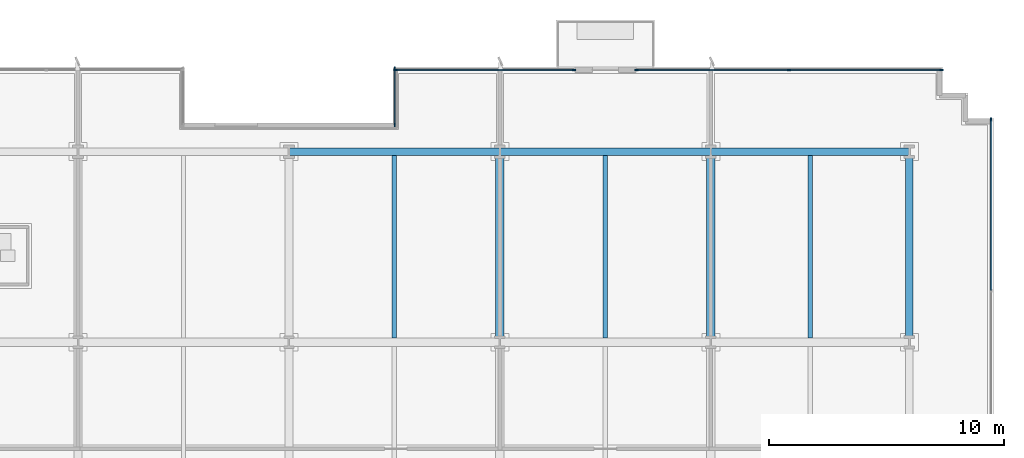
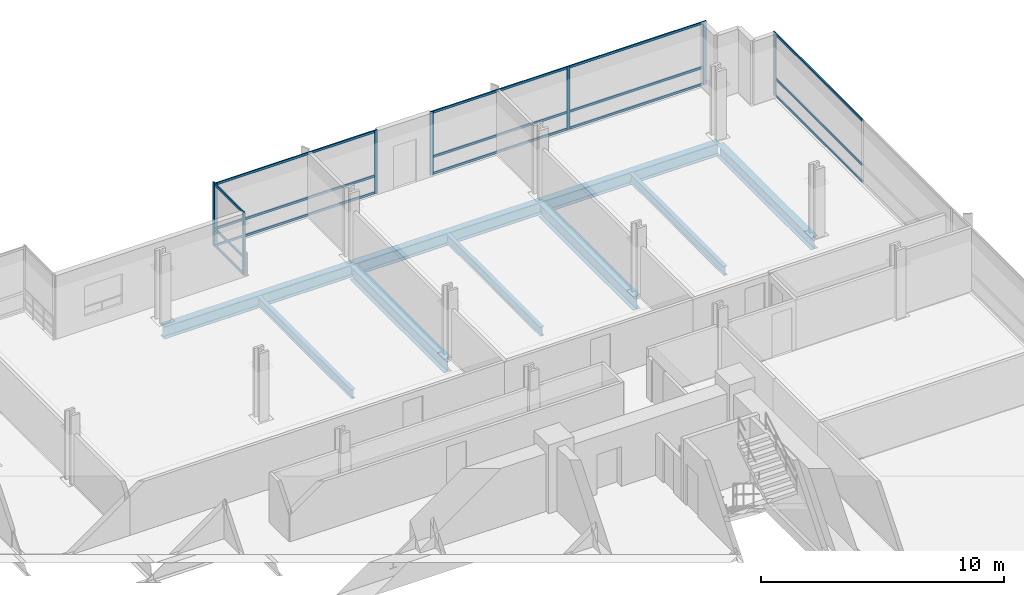
# One storey, part 10 of 21: 23 members, 9 beams, 4 elements without a shape of their own.
"""IFC4 building model written with IfcOpenShell, lengths in metres."""

from ifc_helpers import new_model, si_unit, direction, frame, origin, origin_2d, place, context, subcontext, project, spatial, rectangle, i_section, extrude, material, material_profile, profile_set, type_object, element, aggregate, save


model = new_model("IFC4")

# Units and contexts
model_context = context("Model", 3, precision=1e-05, world=origin(), true_north=direction((0.0, 1.0)))
body_context = subcontext(model_context, "Body", "Model", "MODEL_VIEW")
ifc_project = project(units=[si_unit("LENGTHUNIT", "METRE"), si_unit("AREAUNIT", "SQUARE_METRE"), si_unit("VOLUMEUNIT", "CUBIC_METRE"), si_unit("PLANEANGLEUNIT", "RADIAN"), si_unit("MASSUNIT", "GRAM", prefix="KILO")], contexts=[model_context])

# Site, building, storey
site_placement = place(None, origin())
site = spatial("IfcSite", under=ifc_project, at=site_placement, CompositionType="ELEMENT")
building_placement = place(site_placement, origin())
building = spatial("IfcBuilding", under=site, at=building_placement, Name="Solmavex Isthmus Hotel", CompositionType="ELEMENT")
storey_placement = place(building_placement, frame((0.0, 0.0, 60.89990234375)))
storey = spatial("IfcBuildingStorey", under=building, at=storey_placement, Name="L16", CompositionType="ELEMENT", Elevation=60.89990234375)

# Beams
ifc_material_1 = material(Name="Steel ASTM A992 Grade 50", Category="steel")
ifc_material_profile_1 = material_profile(ifc_material_1, i_section(OverallWidth=0.354736328125, OverallDepth=0.695556640625, WebThickness=0.015380859375, FlangeThickness=0.02490234375, FilletRadius=0.017822265625, at=origin_2d()), Name="W27X146")
ifc_profile_set_1 = profile_set([ifc_material_profile_1], Name="Steel ASTM A992 Grade 50")
beam_type_1 = type_object("IfcBeamType", Name="BM-BG-W27X146", PredefinedType="BEAM", material=ifc_profile_set_1)
for number, where, z_axis, x_axis, name in (
    (1, (8.97607421875, 8.96533203125, -0.607666015625), (0.0, 1.0, 0.0), (-1.0, 0.0, 0.0), "Floor Beam L16-VG42"),
    (2, (17.951904296875, 8.96533203125, -0.607666015625), (0.0, 1.0, 0.0), (-1.0, 0.0, 0.0), "Floor Beam L16-VG45"),
):
    element("IfcBeam", number, at=place(storey_placement, frame(where, z_axis=z_axis, x_axis=x_axis)), inside=storey, type_object=beam_type_1, Name=name, PredefinedType="BEAM", context=body_context, shape_type="SweptSolid", body=[
        extrude(i_section(OverallWidth=0.354736328125, OverallDepth=0.695556640625, WebThickness=0.015380859375, FlangeThickness=0.02490234375, FilletRadius=0.017822265625, at=origin_2d()), origin(), (0.0, 0.0, 1.0), 7.771484375),
    ])
ifc_material_profile_2 = material_profile(ifc_material_1, i_section(OverallWidth=0.1904296875, OverallDepth=0.456787109375, WebThickness=0.009033203125, FlangeThickness=0.014404296875, FilletRadius=0.0126953125, at=origin_2d()), Name="W18X50")
ifc_profile_set_2 = profile_set([ifc_material_profile_2], Name="Steel ASTM A992 Grade 50")
beam_type_2 = type_object("IfcBeamType", Name="BM-BJ-W18X50", PredefinedType="JOIST", material=ifc_profile_set_2)
for number, where, z_axis, x_axis, name in (
    (3, (4.488037109375, 8.96533203125, -0.48828125), (0.0, 1.0, 0.0), (-1.0, 0.0, 0.0), "Secondary Floor Joist L16-J15"),
    (4, (13.464111328125, 8.96533203125, -0.48828125), (0.0, 1.0, 0.0), (-1.0, 0.0, 0.0), "Secondary Floor Joist L16-J19"),
    (5, (22.176025390625, 8.96533203125, -0.48828125), (0.0, 1.0, 0.0), (-1.0, 0.0, 0.0), "Secondary Floor Joist L16-J22"),
):
    element("IfcBeam", number, at=place(storey_placement, frame(where, z_axis=z_axis, x_axis=x_axis)), inside=storey, type_object=beam_type_2, Name=name, PredefinedType="JOIST", context=body_context, shape_type="SweptSolid", body=[
        extrude(i_section(OverallWidth=0.1904296875, OverallDepth=0.456787109375, WebThickness=0.009033203125, FlangeThickness=0.014404296875, FilletRadius=0.0126953125, at=origin_2d()), origin(), (0.0, 0.0, 1.0), 7.771484375),
    ])
ifc_material_profile_3 = material_profile(ifc_material_1, i_section(OverallWidth=0.326416015625, OverallDepth=0.621826171875, WebThickness=0.015380859375, FlangeThickness=0.0244140625, FilletRadius=0.01513671875, at=origin_2d()), Name="W24X131")
ifc_profile_set_3 = profile_set([ifc_material_profile_3], Name="Steel ASTM A992 Grade 50")
beam_type_3 = type_object("IfcBeamType", Name="BM-SP-W24X131", PredefinedType="SPANDREL", material=ifc_profile_set_3)
beam_1_placement = place(storey_placement, frame((0.0, 16.89990234375, -0.57080078125), z_axis=(1.0, 0.0, 0.0), x_axis=(0.0, 1.0, 0.0)))
element("IfcBeam", 6, at=beam_1_placement, inside=storey, type_object=beam_type_3, Name="Floor Girder L16-UG22", PredefinedType="SPANDREL", context=body_context, shape_type="SweptSolid", body=[
    extrude(i_section(OverallWidth=0.326416015625, OverallDepth=0.621826171875, WebThickness=0.015380859375, FlangeThickness=0.0244140625, FilletRadius=0.01513671875, at=origin_2d()), origin(), (0.0, 0.0, 1.0), 8.97607421875),
])
beam_2_placement = place(storey_placement, frame((8.97607421875, 16.89990234375, -0.57080078125), z_axis=(1.0, 0.0, 0.0), x_axis=(0.0, 1.0, 0.0)))
element("IfcBeam", 7, at=beam_2_placement, inside=storey, type_object=beam_type_3, Name="Floor Girder L16-UG23", PredefinedType="SPANDREL", context=body_context, shape_type="SweptSolid", body=[
    extrude(i_section(OverallWidth=0.326416015625, OverallDepth=0.621826171875, WebThickness=0.015380859375, FlangeThickness=0.0244140625, FilletRadius=0.01513671875, at=origin_2d()), origin(), (0.0, 0.0, 1.0), 8.975830078125),
])
beam_3_placement = place(storey_placement, frame((17.951904296875, 16.89990234375, -0.57080078125), z_axis=(1.0, 0.0, 0.0), x_axis=(0.0, 1.0, 0.0)))
element("IfcBeam", 8, at=beam_3_placement, inside=storey, type_object=beam_type_3, Name="Floor Girder L16-UG24", PredefinedType="SPANDREL", context=body_context, shape_type="SweptSolid", body=[
    extrude(i_section(OverallWidth=0.326416015625, OverallDepth=0.621826171875, WebThickness=0.015380859375, FlangeThickness=0.0244140625, FilletRadius=0.01513671875, at=origin_2d()), origin(), (0.0, 0.0, 1.0), 8.447998046875),
])
beam_4_placement = place(storey_placement, frame((26.39990234375, 8.96533203125, -0.57080078125), z_axis=(0.0, 1.0, 0.0), x_axis=(-1.0, 0.0, 0.0)))
element("IfcBeam", 9, at=beam_4_placement, inside=storey, type_object=beam_type_3, Name="Floor Beam L16-VG48", PredefinedType="SPANDREL", context=body_context, shape_type="SweptSolid", body=[
    extrude(i_section(OverallWidth=0.326416015625, OverallDepth=0.621826171875, WebThickness=0.015380859375, FlangeThickness=0.0244140625, FilletRadius=0.01513671875, at=origin_2d()), origin(), (0.0, 0.0, 1.0), 7.771484375),
])

# Curtain wall, members
ifc_material_2 = material(Name="Aluminium alloy 6063-T6", Category="aluminium")
curtain_wall_type = type_object("IfcCurtainWallType", Name="CW-SYS-06", PredefinedType="NOTDEFINED", material=ifc_material_2)
curtain_wall_1_placement = place(storey_placement, origin())
curtain_wall_1 = element("IfcCurtainWall", 10, at=curtain_wall_1_placement, inside=storey, type_object=curtain_wall_type, Name="Stick Curtain Wall CWL-L16-SGE", PredefinedType="NOTDEFINED")
ifc_material_profile_4 = material_profile(ifc_material_2, rectangle(XDim=0.06005859375, YDim=0.139892578125, at=origin_2d()), Name="CWM-60X140")
ifc_profile_set_4 = profile_set([ifc_material_profile_4], Name="Aluminium alloy 6063-T6")
member_type_1 = type_object("IfcMemberType", Name="CW-SYS-06-MUL", PredefinedType="MULLION", material=ifc_profile_set_4)
member_1_placement = place(storey_placement, frame((4.5, 18.030029296875, 0.0), z_axis=(0.0, 0.0, 1.0), x_axis=(-1.0, 0.0, 0.0)))
member_1 = element("IfcMember", 11, at=member_1_placement, type_object=member_type_1, Name="CW-06 mullion 1", PredefinedType="MULLION", context=body_context, shape_type="SweptSolid", body=[
    extrude(rectangle(XDim=0.06005859375, YDim=0.139892578125, at=origin_2d()), origin(), (0.0, 0.0, 1.0), 3.190185546875),
])
member_2_placement = place(storey_placement, frame((4.5, 20.449951171875, 0.0), z_axis=(0.0, 0.0, 1.0), x_axis=(-1.0, 0.0, 0.0)))
member_2 = element("IfcMember", 12, at=member_2_placement, type_object=member_type_1, Name="CW-06 mullion 2", PredefinedType="MULLION", context=body_context, shape_type="SweptSolid", body=[
    extrude(rectangle(XDim=0.06005859375, YDim=0.139892578125, at=origin_2d()), origin(), (0.0, 0.0, 1.0), 3.190185546875),
])

curtain_wall_2_placement = place(storey_placement, origin())
curtain_wall_2 = element("IfcCurtainWall", 13, at=curtain_wall_2_placement, inside=storey, type_object=curtain_wall_type, Name="Stick Curtain Wall CWL-L16-N2", PredefinedType="NOTDEFINED")
member_3_placement = place(storey_placement, frame((4.530029296875, 20.3798828125, 0.0), z_axis=(0.0, 0.0, 1.0), x_axis=(0.0, 1.0, 0.0)))
member_3 = element("IfcMember", 14, at=member_3_placement, type_object=member_type_1, Name="CW-06 mullion 1", PredefinedType="MULLION", context=body_context, shape_type="SweptSolid", body=[
    extrude(rectangle(XDim=0.06005859375, YDim=0.139892578125, at=origin_2d()), origin(), (0.0, 0.0, 1.0), 3.190185546875),
])
member_4_placement = place(storey_placement, frame((12.134033203125, 20.3798828125, 0.0), z_axis=(0.0, 0.0, 1.0), x_axis=(0.0, 1.0, 0.0)))
member_4 = element("IfcMember", 15, at=member_4_placement, type_object=member_type_1, Name="CW-06 mullion 2", PredefinedType="MULLION", context=body_context, shape_type="SweptSolid", body=[
    extrude(rectangle(XDim=0.06005859375, YDim=0.139892578125, at=origin_2d()), origin(), (0.0, 0.0, 1.0), 3.190185546875),
])

curtain_wall_3_placement = place(storey_placement, origin())
curtain_wall_3 = element("IfcCurtainWall", 16, at=curtain_wall_3_placement, inside=storey, type_object=curtain_wall_type, Name="Stick Curtain Wall CWL-L16-N3", PredefinedType="NOTDEFINED")
member_5_placement = place(storey_placement, frame((14.7939453125, 20.3798828125, 0.0), z_axis=(0.0, 0.0, 1.0), x_axis=(0.0, 1.0, 0.0)))
member_5 = element("IfcMember", 17, at=member_5_placement, type_object=member_type_1, Name="CW-06 mullion 1", PredefinedType="MULLION", context=body_context, shape_type="SweptSolid", body=[
    extrude(rectangle(XDim=0.06005859375, YDim=0.139892578125, at=origin_2d()), origin(), (0.0, 0.0, 1.0), 3.190185546875),
])
member_6_placement = place(storey_placement, frame((21.281982421875, 20.3798828125, 0.0), z_axis=(0.0, 0.0, 1.0), x_axis=(0.0, 1.0, 0.0)))
member_6 = element("IfcMember", 18, at=member_6_placement, type_object=member_type_1, Name="CW-06 mullion 2", PredefinedType="MULLION", context=body_context, shape_type="SweptSolid", body=[
    extrude(rectangle(XDim=0.06005859375, YDim=0.139892578125, at=origin_2d()), origin(), (0.0, 0.0, 1.0), 3.190185546875),
])
member_7_placement = place(storey_placement, frame((27.77001953125, 20.3798828125, 0.0), z_axis=(0.0, 0.0, 1.0), x_axis=(0.0, 1.0, 0.0)))
member_7 = element("IfcMember", 19, at=member_7_placement, type_object=member_type_1, Name="CW-06 mullion 3", PredefinedType="MULLION", context=body_context, shape_type="SweptSolid", body=[
    extrude(rectangle(XDim=0.06005859375, YDim=0.139892578125, at=origin_2d()), origin(), (0.0, 0.0, 1.0), 3.190185546875),
])

# Curtain wall, member
curtain_wall_4_placement = place(storey_placement, origin())
curtain_wall_4 = element("IfcCurtainWall", 20, at=curtain_wall_4_placement, inside=storey, type_object=curtain_wall_type, Name="Stick Curtain Wall CWL-L16-E1", PredefinedType="NOTDEFINED")
member_8_placement = place(storey_placement, frame((29.8798828125, 18.27001953125, 0.0), z_axis=(0.0, 0.0, 1.0), x_axis=(-1.0, 0.0, 0.0)))
member_8 = element("IfcMember", 21, at=member_8_placement, type_object=member_type_1, Name="CW-06 mullion 6", PredefinedType="MULLION", context=body_context, shape_type="SweptSolid", body=[
    extrude(rectangle(XDim=0.06005859375, YDim=0.139892578125, at=origin_2d()), origin(), (0.0, 0.0, 1.0), 3.190185546875),
])

# Member
ifc_material_profile_5 = material_profile(ifc_material_2, rectangle(XDim=0.06005859375, YDim=0.114990234375, at=origin_2d()), Name="CWT-60X115")
ifc_profile_set_5 = profile_set([ifc_material_profile_5], Name="Aluminium alloy 6063-T6")
member_type_2 = type_object("IfcMemberType", Name="CW-SYS-06-TRN", PredefinedType="USERDEFINED", material=ifc_profile_set_5)
member_9_placement = place(storey_placement, frame((4.5, 18.06005859375, 0.0576171875), z_axis=(0.0, 1.0, 0.0), x_axis=(-1.0, 0.0, 0.0)))
member_9 = element("IfcMember", 22, at=member_9_placement, type_object=member_type_2, Name="CW-06 transom 1.1", ObjectType="TRANSOM", PredefinedType="USERDEFINED", context=body_context, shape_type="SweptSolid", body=[
    extrude(rectangle(XDim=0.06005859375, YDim=0.114990234375, at=origin_2d()), origin(), (0.0, 0.0, 1.0), 2.35986328125),
])

member_10_placement = place(storey_placement, frame((4.5, 18.06005859375, 0.900146484375), z_axis=(0.0, 1.0, 0.0), x_axis=(-1.0, 0.0, 0.0)))
member_10 = element("IfcMember", 23, at=member_10_placement, type_object=member_type_2, Name="CW-06 transom 1.2", ObjectType="TRANSOM", PredefinedType="USERDEFINED", context=body_context, shape_type="SweptSolid", body=[
    extrude(rectangle(XDim=0.06005859375, YDim=0.114990234375, at=origin_2d()), origin(), (0.0, 0.0, 1.0), 2.35986328125),
])

member_11_placement = place(storey_placement, frame((4.5, 18.06005859375, 3.132568359375), z_axis=(0.0, 1.0, 0.0), x_axis=(-1.0, 0.0, 0.0)))
member_11 = element("IfcMember", 24, at=member_11_placement, type_object=member_type_2, Name="CW-06 transom 1.3", ObjectType="TRANSOM", PredefinedType="USERDEFINED", context=body_context, shape_type="SweptSolid", body=[
    extrude(rectangle(XDim=0.06005859375, YDim=0.114990234375, at=origin_2d()), origin(), (0.0, 0.0, 1.0), 2.35986328125),
])

aggregate(curtain_wall_1, [member_1, member_2, member_9, member_10, member_11])

member_12_placement = place(storey_placement, frame((4.56005859375, 20.3798828125, 0.0576171875), z_axis=(1.0, 0.0, 0.0), x_axis=(0.0, 1.0, 0.0)))
member_12 = element("IfcMember", 25, at=member_12_placement, type_object=member_type_2, Name="CW-06 transom 1.1", ObjectType="TRANSOM", PredefinedType="USERDEFINED", context=body_context, shape_type="SweptSolid", body=[
    extrude(rectangle(XDim=0.06005859375, YDim=0.114990234375, at=origin_2d()), origin(), (0.0, 0.0, 1.0), 7.5439453125),
])

member_13_placement = place(storey_placement, frame((4.56005859375, 20.3798828125, 0.900146484375), z_axis=(1.0, 0.0, 0.0), x_axis=(0.0, 1.0, 0.0)))
member_13 = element("IfcMember", 26, at=member_13_placement, type_object=member_type_2, Name="CW-06 transom 1.2", ObjectType="TRANSOM", PredefinedType="USERDEFINED", context=body_context, shape_type="SweptSolid", body=[
    extrude(rectangle(XDim=0.06005859375, YDim=0.114990234375, at=origin_2d()), origin(), (0.0, 0.0, 1.0), 7.5439453125),
])

member_14_placement = place(storey_placement, frame((4.56005859375, 20.3798828125, 3.132568359375), z_axis=(1.0, 0.0, 0.0), x_axis=(0.0, 1.0, 0.0)))
member_14 = element("IfcMember", 27, at=member_14_placement, type_object=member_type_2, Name="CW-06 transom 1.3", ObjectType="TRANSOM", PredefinedType="USERDEFINED", context=body_context, shape_type="SweptSolid", body=[
    extrude(rectangle(XDim=0.06005859375, YDim=0.114990234375, at=origin_2d()), origin(), (0.0, 0.0, 1.0), 7.5439453125),
])

aggregate(curtain_wall_2, [member_3, member_4, member_12, member_13, member_14])

member_15_placement = place(storey_placement, frame((14.823974609375, 20.3798828125, 0.0576171875), z_axis=(1.0, 0.0, 0.0), x_axis=(0.0, 1.0, 0.0)))
member_15 = element("IfcMember", 28, at=member_15_placement, type_object=member_type_2, Name="CW-06 transom 1.1", ObjectType="TRANSOM", PredefinedType="USERDEFINED", context=body_context, shape_type="SweptSolid", body=[
    extrude(rectangle(XDim=0.06005859375, YDim=0.114990234375, at=origin_2d()), origin(), (0.0, 0.0, 1.0), 6.427978515625),
])

member_16_placement = place(storey_placement, frame((14.823974609375, 20.3798828125, 0.900146484375), z_axis=(1.0, 0.0, 0.0), x_axis=(0.0, 1.0, 0.0)))
member_16 = element("IfcMember", 29, at=member_16_placement, type_object=member_type_2, Name="CW-06 transom 1.2", ObjectType="TRANSOM", PredefinedType="USERDEFINED", context=body_context, shape_type="SweptSolid", body=[
    extrude(rectangle(XDim=0.06005859375, YDim=0.114990234375, at=origin_2d()), origin(), (0.0, 0.0, 1.0), 6.427978515625),
])

member_17_placement = place(storey_placement, frame((14.823974609375, 20.3798828125, 3.132568359375), z_axis=(1.0, 0.0, 0.0), x_axis=(0.0, 1.0, 0.0)))
member_17 = element("IfcMember", 30, at=member_17_placement, type_object=member_type_2, Name="CW-06 transom 1.3", ObjectType="TRANSOM", PredefinedType="USERDEFINED", context=body_context, shape_type="SweptSolid", body=[
    extrude(rectangle(XDim=0.06005859375, YDim=0.114990234375, at=origin_2d()), origin(), (0.0, 0.0, 1.0), 6.427978515625),
])

member_18_placement = place(storey_placement, frame((21.31201171875, 20.3798828125, 0.0576171875), z_axis=(1.0, 0.0, 0.0), x_axis=(0.0, 1.0, 0.0)))
member_18 = element("IfcMember", 31, at=member_18_placement, type_object=member_type_2, Name="CW-06 transom 2.1", ObjectType="TRANSOM", PredefinedType="USERDEFINED", context=body_context, shape_type="SweptSolid", body=[
    extrude(rectangle(XDim=0.06005859375, YDim=0.114990234375, at=origin_2d()), origin(), (0.0, 0.0, 1.0), 6.427978515625),
])

member_19_placement = place(storey_placement, frame((21.31201171875, 20.3798828125, 0.900146484375), z_axis=(1.0, 0.0, 0.0), x_axis=(0.0, 1.0, 0.0)))
member_19 = element("IfcMember", 32, at=member_19_placement, type_object=member_type_2, Name="CW-06 transom 2.2", ObjectType="TRANSOM", PredefinedType="USERDEFINED", context=body_context, shape_type="SweptSolid", body=[
    extrude(rectangle(XDim=0.06005859375, YDim=0.114990234375, at=origin_2d()), origin(), (0.0, 0.0, 1.0), 6.427978515625),
])

member_20_placement = place(storey_placement, frame((21.31201171875, 20.3798828125, 3.132568359375), z_axis=(1.0, 0.0, 0.0), x_axis=(0.0, 1.0, 0.0)))
member_20 = element("IfcMember", 33, at=member_20_placement, type_object=member_type_2, Name="CW-06 transom 2.3", ObjectType="TRANSOM", PredefinedType="USERDEFINED", context=body_context, shape_type="SweptSolid", body=[
    extrude(rectangle(XDim=0.06005859375, YDim=0.114990234375, at=origin_2d()), origin(), (0.0, 0.0, 1.0), 6.427978515625),
])

aggregate(curtain_wall_3, [member_5, member_6, member_7, member_15, member_16, member_17, member_18, member_19, member_20])

member_21_placement = place(storey_placement, frame((29.8798828125, 11.010009765625, 0.0576171875), z_axis=(0.0, 1.0, 0.0), x_axis=(-1.0, 0.0, 0.0)))
member_21 = element("IfcMember", 34, at=member_21_placement, type_object=member_type_2, Name="CW-06 transom 5.1", ObjectType="TRANSOM", PredefinedType="USERDEFINED", context=body_context, shape_type="SweptSolid", body=[
    extrude(rectangle(XDim=0.06005859375, YDim=0.114990234375, at=origin_2d()), origin(), (0.0, 0.0, 1.0), 7.22998046875),
])

member_22_placement = place(storey_placement, frame((29.8798828125, 11.010009765625, 0.900146484375), z_axis=(0.0, 1.0, 0.0), x_axis=(-1.0, 0.0, 0.0)))
member_22 = element("IfcMember", 35, at=member_22_placement, type_object=member_type_2, Name="CW-06 transom 5.2", ObjectType="TRANSOM", PredefinedType="USERDEFINED", context=body_context, shape_type="SweptSolid", body=[
    extrude(rectangle(XDim=0.06005859375, YDim=0.114990234375, at=origin_2d()), origin(), (0.0, 0.0, 1.0), 7.22998046875),
])

member_23_placement = place(storey_placement, frame((29.8798828125, 11.010009765625, 3.132568359375), z_axis=(0.0, 1.0, 0.0), x_axis=(-1.0, 0.0, 0.0)))
member_23 = element("IfcMember", 36, at=member_23_placement, type_object=member_type_2, Name="CW-06 transom 5.3", ObjectType="TRANSOM", PredefinedType="USERDEFINED", context=body_context, shape_type="SweptSolid", body=[
    extrude(rectangle(XDim=0.06005859375, YDim=0.114990234375, at=origin_2d()), origin(), (0.0, 0.0, 1.0), 7.22998046875),
])

aggregate(curtain_wall_4, [member_8, member_21, member_22, member_23])

save(model, "model.ifc")
